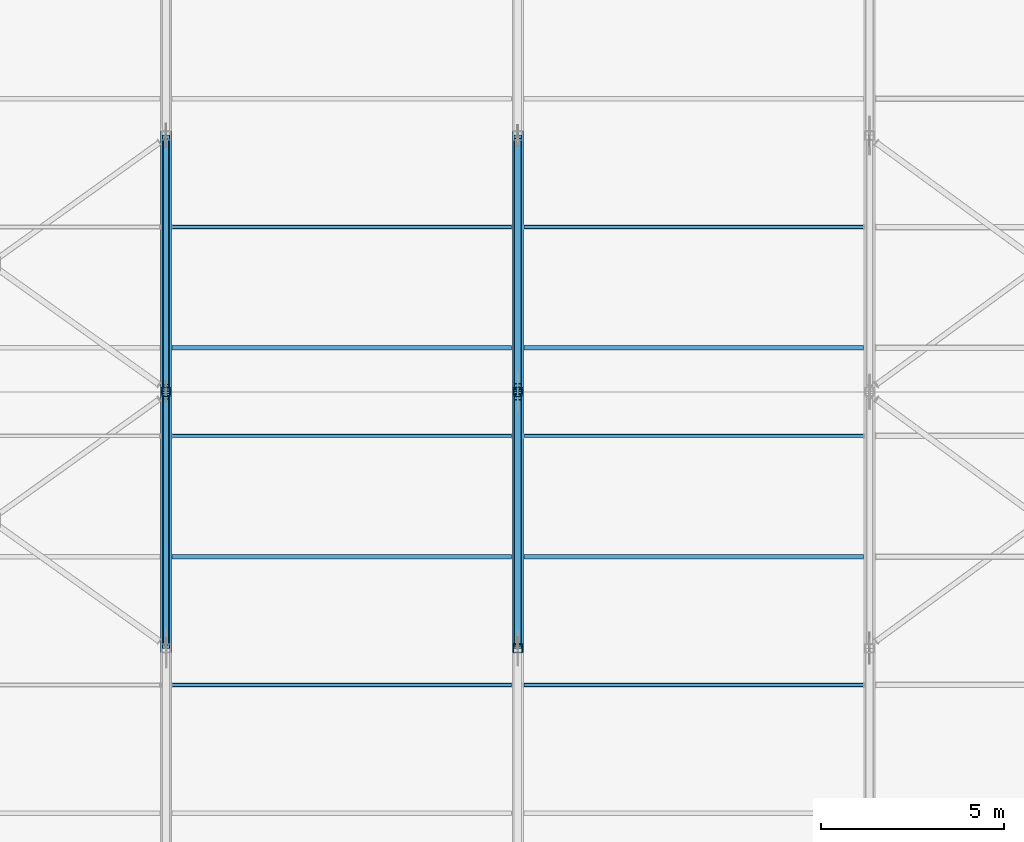
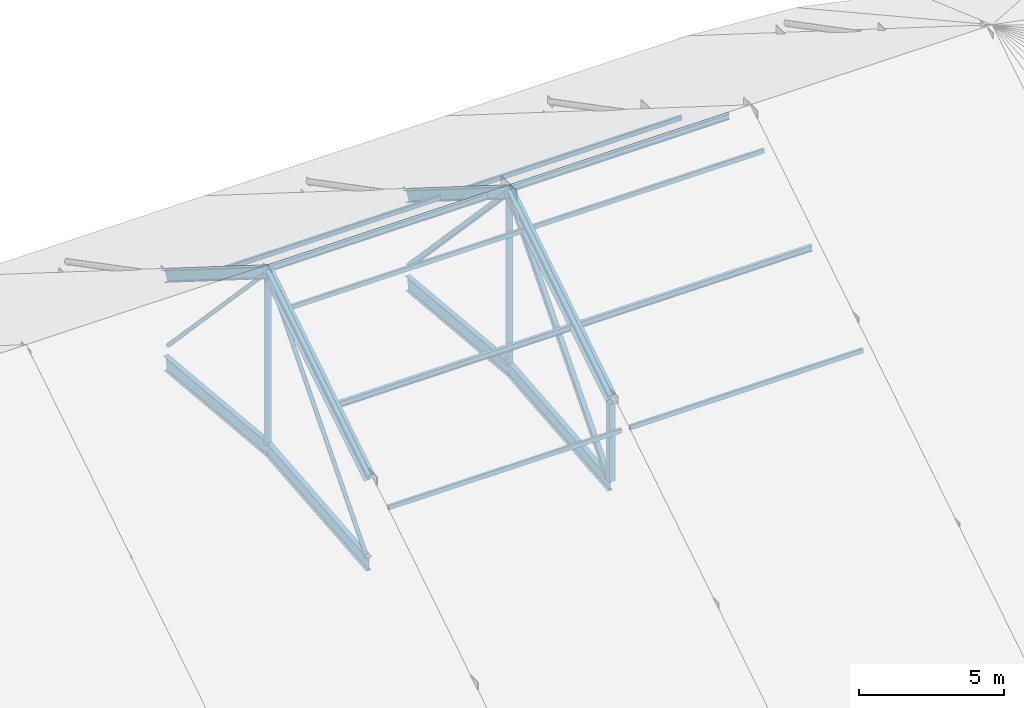
# One storey, part 10 of 66: 21 members, 4 beams.
"""IFC4 building model written with IfcOpenShell, lengths in metres."""

from ifc_helpers import new_model, si_unit, direction, frame, origin, origin_2d, place, context, subcontext, project, spatial, hollow_rectangle, hollow_circle, i_section, extrude, material, material_profile, profile_set, type_object, element, save


model = new_model("IFC4")

# Units and contexts
model_context = context("Model", 3, precision=1e-05, world=origin(), true_north=direction((0.0, 1.0)))
body_context = subcontext(model_context, "Body", "Model", "MODEL_VIEW")
ifc_project = project(units=[si_unit("LENGTHUNIT", "METRE"), si_unit("AREAUNIT", "SQUARE_METRE"), si_unit("VOLUMEUNIT", "CUBIC_METRE"), si_unit("PLANEANGLEUNIT", "RADIAN"), si_unit("MASSUNIT", "GRAM", prefix="KILO")], contexts=[model_context])

# Site, building, storey
site_placement = place(None, origin())
site = spatial("IfcSite", under=ifc_project, at=site_placement, CompositionType="ELEMENT")
building_placement = place(site_placement, origin())
building = spatial("IfcBuilding", under=site, at=building_placement, Name="Yeouljin Market Hall", CompositionType="ELEMENT")
storey_placement = place(building_placement, frame((0.0, 0.0, 23.39990234375)))
storey = spatial("IfcBuildingStorey", under=building, at=storey_placement, Name="RF", CompositionType="ELEMENT", Elevation=23.39990234375)

# Beams
ifc_material_1 = material(Name="Steel SM355", Category="steel")
ifc_material_profile_1 = material_profile(ifc_material_1, i_section(OverallWidth=0.199951171875, OverallDepth=0.60009765625, WebThickness=0.010986328125, FlangeThickness=0.01708984375, FilletRadius=0.02197265625, at=origin_2d()), Name="H-600x200x11x17")
ifc_profile_set_1 = profile_set([ifc_material_profile_1], Name="Steel SM355")
beam_type = type_object("IfcBeamType", Name="Beam_H-600x200x11x17", PredefinedType="BEAM", material=ifc_profile_set_1)
for number, where, z_axis, x_axis, name in (
    (1, (112.199951171875, 50.02001953125, -7.144287109375), (0.0, 0.995742692808, 0.092176405441), (-1.0, 0.0, 0.0), "Truss AT-09 arch rib 3"),
    (2, (112.199951171875, 57.02001953125, -6.5), (0.0, 0.995742692808, -0.092176405441), (-1.0, 0.0, 0.0), "Truss AT-09 arch rib 4"),
    (3, (121.800048828125, 50.02001953125, -7.144287109375), (0.0, 0.995742692808, 0.092176405441), (-1.0, 0.0, 0.0), "Truss AT-10 arch rib 3"),
    (4, (121.800048828125, 57.02001953125, -6.5), (0.0, 0.995742692808, -0.092176405441), (-1.0, 0.0, 0.0), "Truss AT-10 arch rib 4"),
):
    element("IfcBeam", number, at=place(storey_placement, frame(where, z_axis=z_axis, x_axis=x_axis)), inside=storey, type_object=beam_type, Name=name, PredefinedType="BEAM", context=body_context, shape_type="SweptSolid", body=[
        extrude(i_section(OverallWidth=0.199951171875, OverallDepth=0.60009765625, WebThickness=0.010986328125, FlangeThickness=0.01708984375, FilletRadius=0.02197265625, at=origin_2d()), origin(), (0.0, 0.0, 1.0), 6.98974609375),
    ])

# Members
ifc_material_2 = material(Name="Steel SS275", Category="steel")
ifc_material_profile_2 = material_profile(ifc_material_2, hollow_circle(Radius=0.08251953125, WallThickness=0.006103515625, at=origin_2d()), Name="CHS-165.2x6")
ifc_profile_set_2 = profile_set([ifc_material_profile_2], Name="Steel SS275")
member_type_1 = type_object("IfcMemberType", Name="Brace_CHS-165.2x6", PredefinedType="BRACE", material=ifc_profile_set_2)
member_1_placement = place(storey_placement, frame((112.199951171875, 50.144287109375, -6.978271484375), z_axis=(0.0, 0.656456540155, 0.754363845162), x_axis=(-1.0, 0.0, 0.0)))
element("IfcMember", 5, at=member_1_placement, inside=storey, type_object=member_type_1, Name="Truss AT-09 web diagonal 3", PredefinedType="BRACE", context=body_context, shape_type="SweptSolid", body=[
    extrude(hollow_circle(Radius=0.08251953125, WallThickness=0.006103515625, at=origin_2d()), origin(), (0.0, 0.0, 1.0), 10.2236328125),
])
member_2_placement = place(storey_placement, frame((112.199951171875, 57.151123046875, 0.740234375), z_axis=(0.0, 0.687208071692, -0.726460643257), x_axis=(-1.0, 0.0, 0.0)))
element("IfcMember", 6, at=member_2_placement, inside=storey, type_object=member_type_1, Name="Truss AT-09 web diagonal 4", PredefinedType="BRACE", context=body_context, shape_type="SweptSolid", body=[
    extrude(hollow_circle(Radius=0.08251953125, WallThickness=0.006103515625, at=origin_2d()), origin(), (0.0, 0.0, 1.0), 9.746337890625),
])
ifc_material_3 = material(Name="Steel SM355", Category="steel")
ifc_material_profile_3 = material_profile(ifc_material_3, hollow_rectangle(XDim=0.199951171875, YDim=0.199951171875, WallThickness=0.008056640625, InnerFilletRadius=0.008056640625, OuterFilletRadius=0.01611328125, at=origin_2d()), Name="SHS-200x200x8")
ifc_profile_set_3 = profile_set([ifc_material_profile_3], Name="Steel SM355")
member_type_2 = type_object("IfcMemberType", Name="Brace_SHS-200x200x8", PredefinedType="BRACE", material=ifc_profile_set_3)
member_3_placement = place(storey_placement, frame((121.800048828125, 50.144287109375, -6.978271484375), z_axis=(0.0, 0.656456540155, 0.754363845162), x_axis=(-1.0, 0.0, 0.0)))
element("IfcMember", 7, at=member_3_placement, inside=storey, type_object=member_type_2, Name="Truss AT-10 web diagonal 3", PredefinedType="BRACE", context=body_context, shape_type="SweptSolid", body=[
    extrude(hollow_rectangle(XDim=0.199951171875, YDim=0.199951171875, WallThickness=0.008056640625, InnerFilletRadius=0.008056640625, OuterFilletRadius=0.01611328125, at=origin_2d()), origin(), (0.0, 0.0, 1.0), 10.2236328125),
])
member_4_placement = place(storey_placement, frame((121.800048828125, 57.151123046875, 0.740234375), z_axis=(0.0, 0.687208071692, -0.726460643257), x_axis=(-1.0, 0.0, 0.0)))
element("IfcMember", 8, at=member_4_placement, inside=storey, type_object=member_type_2, Name="Truss AT-10 web diagonal 4", PredefinedType="BRACE", context=body_context, shape_type="SweptSolid", body=[
    extrude(hollow_rectangle(XDim=0.199951171875, YDim=0.199951171875, WallThickness=0.008056640625, InnerFilletRadius=0.008056640625, OuterFilletRadius=0.01611328125, at=origin_2d()), origin(), (0.0, 0.0, 1.0), 9.746337890625),
])
ifc_material_4 = material(Name="Steel SM355", Category="steel")
ifc_material_profile_4 = material_profile(ifc_material_4, i_section(OverallWidth=0.300048828125, OverallDepth=0.43994140625, WebThickness=0.010986328125, FlangeThickness=0.01806640625, FilletRadius=0.02001953125, at=origin_2d()), Name="H-440x300x11x18")
ifc_profile_set_4 = profile_set([ifc_material_profile_4], Name="Steel SM355")
member_type_3 = type_object("IfcMemberType", Name="Chord_H-440x300x11x18", PredefinedType="CHORD", material=ifc_profile_set_4)
for number, where, z_axis, x_axis, name in (
    (9, (112.199951171875, 50.0, -3.5), (0.0, 0.846628566691, 0.532184244471), (-1.0, 0.0, 0.0), "Truss AT-09 top chord 3"),
    (10, (112.199951171875, 57.0, 0.900146484375), (0.0, 0.846628566691, -0.532184244471), (-1.0, 0.0, 0.0), "Truss AT-09 top chord 4"),
    (11, (121.800048828125, 50.0, -3.5), (0.0, 0.846628566691, 0.532184244471), (-1.0, 0.0, 0.0), "Truss AT-10 top chord 3"),
    (12, (121.800048828125, 57.0, 0.900146484375), (0.0, 0.846628566691, -0.532184244471), (-1.0, 0.0, 0.0), "Truss AT-10 top chord 4"),
):
    element("IfcMember", number, at=place(storey_placement, frame(where, z_axis=z_axis, x_axis=x_axis)), inside=storey, type_object=member_type_3, Name=name, PredefinedType="CHORD", context=body_context, shape_type="SweptSolid", body=[
        extrude(i_section(OverallWidth=0.300048828125, OverallDepth=0.43994140625, WebThickness=0.010986328125, FlangeThickness=0.01806640625, FilletRadius=0.02001953125, at=origin_2d()), origin(), (0.0, 0.0, 1.0), 8.26806640625),
    ])
ifc_material_5 = material(Name="Steel SM355", Category="steel")
ifc_material_profile_5 = material_profile(ifc_material_5, i_section(OverallWidth=0.125, OverallDepth=0.25, WebThickness=0.006103515625, FlangeThickness=0.009033203125, FilletRadius=0.011962890625, at=origin_2d()), Name="H-250x125x6x9")
ifc_profile_set_5 = profile_set([ifc_material_profile_5], Name="Steel SM355")
member_type_4 = type_object("IfcMemberType", Name="Purlin_H-250x125x6x9", PredefinedType="PURLIN", material=ifc_profile_set_5)
for number, where, z_axis, x_axis, name in (
    (13, (112.365966796875, 52.5, -2.008544921875), (1.0, 0.0, 0.0), (0.0, 1.0, 0.0), "Nave roof purlin 101"),
    (14, (112.365966796875, 58.199951171875, 0.06591796875), (1.0, 0.0, 0.0), (0.0, 1.0, 0.0), "Nave roof purlin 103"),
):
    element("IfcMember", number, at=place(storey_placement, frame(where, z_axis=z_axis, x_axis=x_axis)), inside=storey, type_object=member_type_4, Name=name, PredefinedType="PURLIN", context=body_context, shape_type="SweptSolid", body=[
        extrude(i_section(OverallWidth=0.125, OverallDepth=0.25, WebThickness=0.006103515625, FlangeThickness=0.009033203125, FilletRadius=0.011962890625, at=origin_2d()), origin(), (0.0, 0.0, 1.0), 9.26806640625),
    ])
for number, where, z_axis, x_axis, name in (
    (15, (121.966064453125, 52.5, -2.008544921875), (1.0, 0.0, 0.0), (0.0, 1.0, 0.0), "Nave roof purlin 113"),
    (16, (121.966064453125, 58.199951171875, 0.06591796875), (1.0, 0.0, 0.0), (0.0, 1.0, 0.0), "Nave roof purlin 115"),
):
    element("IfcMember", number, at=place(storey_placement, frame(where, z_axis=z_axis, x_axis=x_axis)), inside=storey, type_object=member_type_4, Name=name, PredefinedType="PURLIN", context=body_context, shape_type="SweptSolid", body=[
        extrude(i_section(OverallWidth=0.125, OverallDepth=0.25, WebThickness=0.006103515625, FlangeThickness=0.009033203125, FilletRadius=0.011962890625, at=origin_2d()), origin(), (0.0, 0.0, 1.0), 9.267822265625),
    ])
ifc_material_6 = material(Name="Steel SS275", Category="steel")
ifc_material_profile_6 = material_profile(ifc_material_6, hollow_rectangle(XDim=0.10009765625, YDim=0.199951171875, WallThickness=0.006103515625, InnerFilletRadius=0.006103515625, OuterFilletRadius=0.011962890625, at=origin_2d()), Name="RHS-200x100x6")
ifc_profile_set_6 = profile_set([ifc_material_profile_6], Name="Steel SS275")
member_type_5 = type_object("IfcMemberType", Name="Purlin_RHS-200x100x6", PredefinedType="PURLIN", material=ifc_profile_set_6)
for number, where, z_axis, x_axis, name in (
    (17, (112.365966796875, 49.0, -4.20849609375), (1.0, 0.0, 0.0), (0.0, 1.0, 0.0), "Nave roof purlin 100"),
    (18, (112.365966796875, 55.800048828125, 0.06591796875), (1.0, 0.0, 0.0), (0.0, 1.0, 0.0), "Nave roof purlin 102"),
    (19, (112.365966796875, 61.5, -2.008544921875), (1.0, 0.0, 0.0), (0.0, 1.0, 0.0), "Nave roof purlin 104"),
):
    element("IfcMember", number, at=place(storey_placement, frame(where, z_axis=z_axis, x_axis=x_axis)), inside=storey, type_object=member_type_5, Name=name, PredefinedType="PURLIN", context=body_context, shape_type="SweptSolid", body=[
        extrude(hollow_rectangle(XDim=0.10009765625, YDim=0.199951171875, WallThickness=0.006103515625, InnerFilletRadius=0.006103515625, OuterFilletRadius=0.011962890625, at=origin_2d()), origin(), (0.0, 0.0, 1.0), 9.26806640625),
    ])
for number, where, z_axis, x_axis, name in (
    (20, (121.966064453125, 49.0, -4.20849609375), (1.0, 0.0, 0.0), (0.0, 1.0, 0.0), "Nave roof purlin 112"),
    (21, (121.966064453125, 55.800048828125, 0.06591796875), (1.0, 0.0, 0.0), (0.0, 1.0, 0.0), "Nave roof purlin 114"),
    (22, (121.966064453125, 61.5, -2.008544921875), (1.0, 0.0, 0.0), (0.0, 1.0, 0.0), "Nave roof purlin 116"),
):
    element("IfcMember", number, at=place(storey_placement, frame(where, z_axis=z_axis, x_axis=x_axis)), inside=storey, type_object=member_type_5, Name=name, PredefinedType="PURLIN", context=body_context, shape_type="SweptSolid", body=[
        extrude(hollow_rectangle(XDim=0.10009765625, YDim=0.199951171875, WallThickness=0.006103515625, InnerFilletRadius=0.006103515625, OuterFilletRadius=0.011962890625, at=origin_2d()), origin(), (0.0, 0.0, 1.0), 9.267822265625),
    ])
ifc_material_7 = material(Name="Steel SM355", Category="steel")
ifc_material_profile_7 = material_profile(ifc_material_7, hollow_circle(Radius=0.1337890625, WallThickness=0.009033203125, at=origin_2d()), Name="CHS-267.4x9")
ifc_profile_set_7 = profile_set([ifc_material_profile_7], Name="Steel SM355")
member_type_6 = type_object("IfcMemberType", Name="Strut_CHS-267.4x9", PredefinedType="STRUT", material=ifc_profile_set_7)
for number, where, z_axis, x_axis, name in (
    (23, (112.199951171875, 57.0, -6.31982421875), (0.0, 0.0, 1.0), (1.0, 0.0, 0.0), "Truss AT-09 vertical strut 3"),
    (24, (121.800048828125, 57.0, -6.31982421875), (0.0, 0.0, 1.0), (1.0, 0.0, 0.0), "Truss AT-10 vertical strut 3"),
):
    element("IfcMember", number, at=place(storey_placement, frame(where, z_axis=z_axis, x_axis=x_axis)), inside=storey, type_object=member_type_6, Name=name, PredefinedType="STRUT", context=body_context, shape_type="SweptSolid", body=[
        extrude(hollow_circle(Radius=0.1337890625, WallThickness=0.009033203125, at=origin_2d()), origin(), (0.0, 0.0, 1.0), 7.0400390625),
    ])
ifc_material_8 = material(Name="Steel SM355", Category="steel")
ifc_material_profile_8 = material_profile(ifc_material_8, hollow_rectangle(XDim=0.25, YDim=0.25, WallThickness=0.009033203125, InnerFilletRadius=0.009033203125, OuterFilletRadius=0.01611328125, at=origin_2d()), Name="SHS-250x250x9")
ifc_profile_set_8 = profile_set([ifc_material_profile_8], Name="Steel SM355")
member_type_7 = type_object("IfcMemberType", Name="Strut_SHS-250x250x9", PredefinedType="STRUT", material=ifc_profile_set_8)
member_5_placement = place(storey_placement, frame((121.800048828125, 50.0, -6.96435546875), z_axis=(0.0, 0.0, 1.0), x_axis=(1.0, 0.0, 0.0)))
element("IfcMember", 25, at=member_5_placement, inside=storey, type_object=member_type_7, Name="Truss AT-10 vertical strut 2", PredefinedType="STRUT", context=body_context, shape_type="SweptSolid", body=[
    extrude(hollow_rectangle(XDim=0.25, YDim=0.25, WallThickness=0.009033203125, InnerFilletRadius=0.009033203125, OuterFilletRadius=0.01611328125, at=origin_2d()), origin(), (0.0, 0.0, 1.0), 3.284423828125),
])

save(model, "model.ifc")
